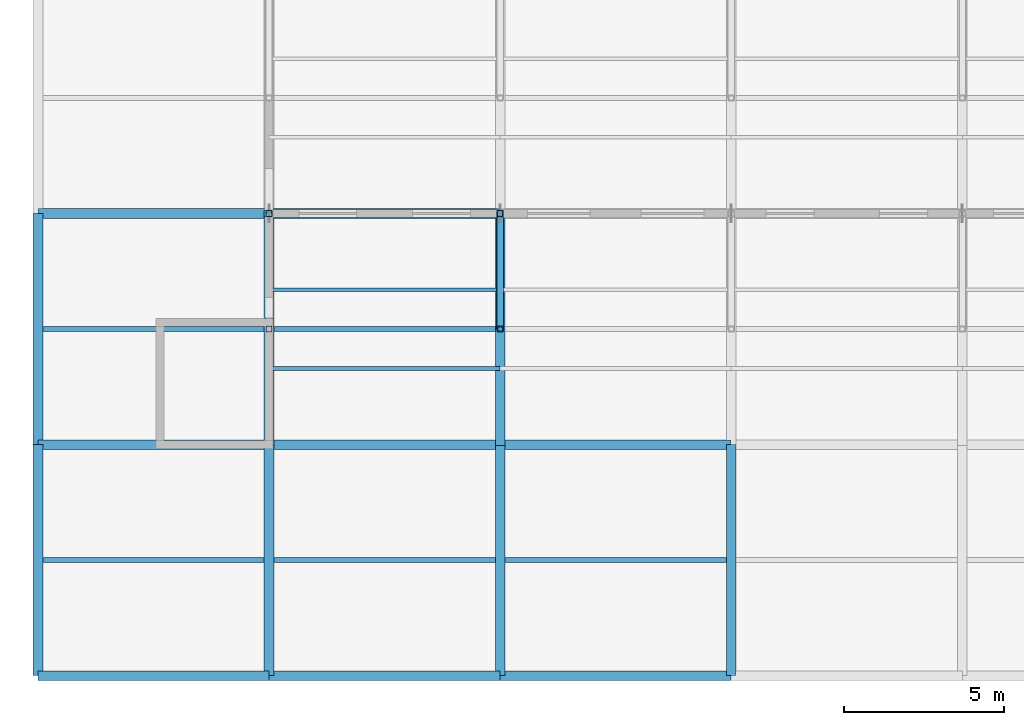
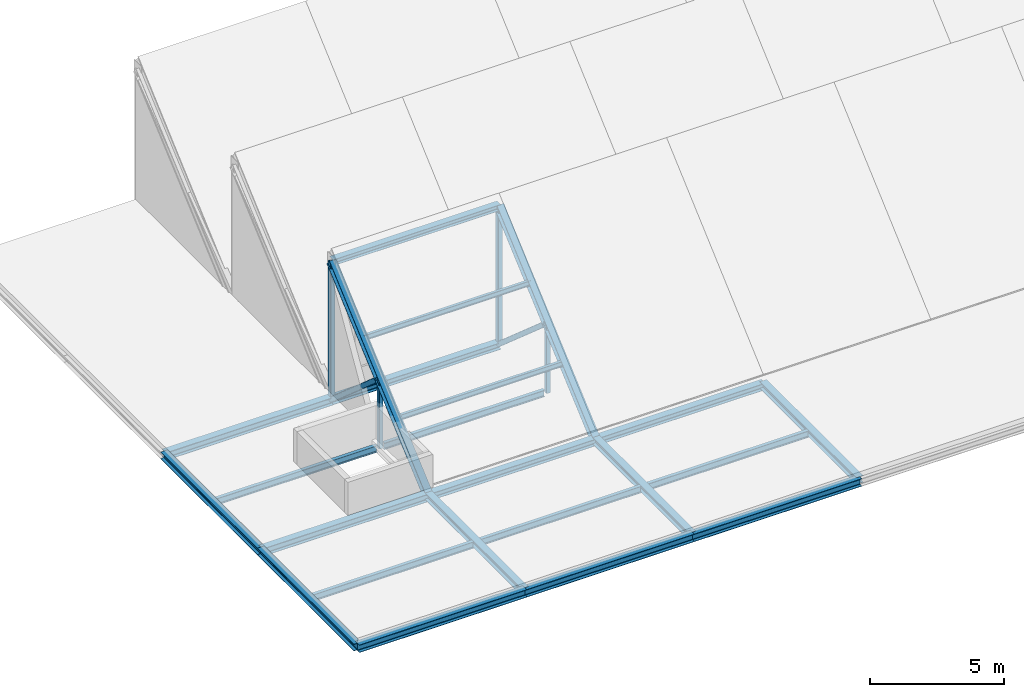
# One storey, part 5 of 31: 21 beams, 8 members.
"""IFC4 building model written with IfcOpenShell, lengths in metres."""

from ifc_helpers import new_model, si_unit, direction, frame, origin, origin_2d, place, context, subcontext, project, spatial, hollow_rectangle, hollow_circle, i_section, extrude, material, material_profile, profile_set, type_object, element, save


model = new_model("IFC4")

# Units and contexts
model_context = context("Model", 3, precision=1e-05, world=origin(), true_north=direction((0.0, 1.0)))
body_context = subcontext(model_context, "Body", "Model", "MODEL_VIEW")
ifc_project = project(units=[si_unit("LENGTHUNIT", "METRE"), si_unit("AREAUNIT", "SQUARE_METRE"), si_unit("VOLUMEUNIT", "CUBIC_METRE"), si_unit("PLANEANGLEUNIT", "RADIAN"), si_unit("MASSUNIT", "GRAM", prefix="KILO")], contexts=[model_context])

# Site, building, storey
site_placement = place(None, origin())
site = spatial("IfcSite", under=ifc_project, at=site_placement, CompositionType="ELEMENT")
building_placement = place(site_placement, origin())
building = spatial("IfcBuilding", under=site, at=building_placement, Name="Zlatovets Crest Museum", CompositionType="ELEMENT")
storey_placement = place(building_placement, frame((0.0, 0.0, 25.199951171875)))
storey = spatial("IfcBuildingStorey", under=building, at=storey_placement, Name="L05", CompositionType="ELEMENT", Elevation=25.199951171875)

# Beams
ifc_material = material(Name="Structural steel S355J2", Category="steel")
ifc_material_profile_1 = material_profile(ifc_material, i_section(OverallWidth=0.300048828125, OverallDepth=0.35009765625, WebThickness=0.010009765625, FlangeThickness=0.017578125, FilletRadius=0.027099609375, at=origin_2d()), Name="HEA 360")
ifc_profile_set_1 = profile_set([ifc_material_profile_1], Name="Structural steel S355J2")
beam_type_1 = type_object("IfcBeamType", Name="Beam_B-03", PredefinedType="BEAM", material=ifc_profile_set_1)
for number, where, z_axis, x_axis, name in (
    (1, (57.60009765625, 0.0, -0.39501953125), (1.0, 0.0, 0.0), (0.0, 1.0, 0.0), "V2 L05 Primary Girder B-03"),
    (2, (64.800048828125, 0.0, -0.39501953125), (1.0, 0.0, 0.0), (0.0, 1.0, 0.0), "V2 L05 Primary Girder B-03"),
    (3, (72.0, 0.0, -0.39501953125), (1.0, 0.0, 0.0), (0.0, 1.0, 0.0), "V2 L05 Primary Girder B-03"),
    (4, (57.60009765625, 7.199951171875, -0.39501953125), (1.0, 0.0, 0.0), (0.0, 1.0, 0.0), "V2 L05 Primary Girder B-03"),
    (5, (57.60009765625, 14.39990234375, -0.39501953125), (1.0, 0.0, 0.0), (0.0, 1.0, 0.0), "V2 L05 Primary Girder B-03"),
):
    element("IfcBeam", number, at=place(storey_placement, frame(where, z_axis=z_axis, x_axis=x_axis)), inside=storey, type_object=beam_type_1, Name=name, PredefinedType="BEAM", context=body_context, shape_type="SweptSolid", body=[
        extrude(i_section(OverallWidth=0.300048828125, OverallDepth=0.35009765625, WebThickness=0.010009765625, FlangeThickness=0.017578125, FilletRadius=0.027099609375, at=origin_2d()), origin(), (0.0, 0.0, 1.0), 7.199951171875),
    ])
ifc_material_profile_2 = material_profile(ifc_material, i_section(OverallWidth=0.300048828125, OverallDepth=0.31005859375, WebThickness=0.009033203125, FlangeThickness=0.015380859375, FilletRadius=0.027099609375, at=origin_2d()), Name="HEA 320")
ifc_profile_set_2 = profile_set([ifc_material_profile_2], Name="Structural steel S355J2")
beam_type_2 = type_object("IfcBeamType", Name="Beam_B-04", PredefinedType="BEAM", material=ifc_profile_set_2)
for number, where, z_axis, x_axis, name in (
    (6, (57.60009765625, 0.0, -0.375), (0.0, 1.0, 0.0), (-1.0, 0.0, 0.0), "V2 L05 Grid Beam B-04"),
    (7, (57.60009765625, 7.199951171875, -0.375), (0.0, 1.0, 0.0), (-1.0, 0.0, 0.0), "V2 L05 Grid Beam B-04"),
    (8, (64.800048828125, 0.0, -0.375), (0.0, 1.0, 0.0), (-1.0, 0.0, 0.0), "V2 L05 Grid Beam B-04"),
    (9, (72.0, 0.0, -0.375), (0.0, 1.0, 0.0), (-1.0, 0.0, 0.0), "V2 L05 Grid Beam B-04"),
    (10, (79.199951171875, 0.0, -0.375), (0.0, 1.0, 0.0), (-1.0, 0.0, 0.0), "V2 L05 Grid Beam B-04"),
    (11, (64.800048828125, 7.199951171875, -0.39990234375), (1.0, 0.0, 0.0), (0.0, 1.0, 0.0), "V2 Sawtooth South Eave Valley Girder"),
    (12, (64.800048828125, 14.39990234375, -0.39990234375), (1.0, 0.0, 0.0), (0.0, 1.0, 0.0), "V2 Sawtooth Tooth 1 Valley / Clerestory Sill Girder"),
    (13, (72.0, 7.199951171875, -0.39990234375), (1.0, 0.0, 0.0), (0.0, 1.0, 0.0), "V2 Sawtooth South Eave Valley Girder"),
):
    element("IfcBeam", number, at=place(storey_placement, frame(where, z_axis=z_axis, x_axis=x_axis)), inside=storey, type_object=beam_type_2, Name=name, PredefinedType="BEAM", context=body_context, shape_type="SweptSolid", body=[
        extrude(i_section(OverallWidth=0.300048828125, OverallDepth=0.31005859375, WebThickness=0.009033203125, FlangeThickness=0.015380859375, FilletRadius=0.027099609375, at=origin_2d()), origin(), (0.0, 0.0, 1.0), 7.199951171875),
    ])
ifc_material_profile_3 = material_profile(ifc_material, i_section(OverallWidth=0.280029296875, OverallDepth=0.27001953125, WebThickness=0.008056640625, FlangeThickness=0.012939453125, FilletRadius=0.02392578125, at=origin_2d()), Name="HEA 280")
ifc_profile_set_3 = profile_set([ifc_material_profile_3], Name="Structural steel S355J2")
beam_type_3 = type_object("IfcBeamType", Name="Beam_B-05", PredefinedType="BEAM", material=ifc_profile_set_3)
beam_placement = place(storey_placement, frame((64.800048828125, 14.39990234375, 5.8857421875), z_axis=(1.0, 0.0, 0.0), x_axis=(0.0, 1.0, 0.0)))
element("IfcBeam", 14, at=beam_placement, inside=storey, type_object=beam_type_3, Name="V2 Sawtooth Tooth 1 Ridge Girder", PredefinedType="BEAM", context=body_context, shape_type="SweptSolid", body=[
    extrude(i_section(OverallWidth=0.280029296875, OverallDepth=0.27001953125, WebThickness=0.008056640625, FlangeThickness=0.012939453125, FilletRadius=0.02392578125, at=origin_2d()), origin(), (0.0, 0.0, 1.0), 7.199951171875),
])
ifc_material_profile_4 = material_profile(ifc_material, i_section(OverallWidth=0.14990234375, OverallDepth=0.300048828125, WebThickness=0.007080078125, FlangeThickness=0.0107421875, FilletRadius=0.014892578125, at=origin_2d()), Name="IPE 300")
ifc_profile_set_4 = profile_set([ifc_material_profile_4], Name="Structural steel S355J2")
beam_type_4 = type_object("IfcBeamType", Name="Beam_J-02", PredefinedType="JOIST", material=ifc_profile_set_4)
for number, where, z_axis, x_axis, name in (
    (15, (57.75, 3.60009765625, -0.369873046875), (1.0, 0.0, 0.0), (0.0, 1.0, 0.0), "V2 L05 Composite Joist J-02"),
    (16, (57.75, 10.800048828125, -0.369873046875), (1.0, 0.0, 0.0), (0.0, 1.0, 0.0), "V2 L05 Composite Joist J-02"),
):
    element("IfcBeam", number, at=place(storey_placement, frame(where, z_axis=z_axis, x_axis=x_axis)), inside=storey, type_object=beam_type_4, Name=name, PredefinedType="JOIST", context=body_context, shape_type="SweptSolid", body=[
        extrude(i_section(OverallWidth=0.14990234375, OverallDepth=0.300048828125, WebThickness=0.007080078125, FlangeThickness=0.0107421875, FilletRadius=0.014892578125, at=origin_2d()), origin(), (0.0, 0.0, 1.0), 6.89990234375),
    ])
for number, where, z_axis, x_axis, name in (
    (17, (64.949951171875, 3.60009765625, -0.369873046875), (1.0, 0.0, 0.0), (0.0, 1.0, 0.0), "V2 L05 Composite Joist J-02"),
    (18, (64.949951171875, 10.800048828125, -0.369873046875), (1.0, 0.0, 0.0), (0.0, 1.0, 0.0), "V2 L05 Composite Joist J-02"),
    (19, (72.14990234375, 3.60009765625, -0.369873046875), (1.0, 0.0, 0.0), (0.0, 1.0, 0.0), "V2 L05 Composite Joist J-02"),
):
    element("IfcBeam", number, at=place(storey_placement, frame(where, z_axis=z_axis, x_axis=x_axis)), inside=storey, type_object=beam_type_4, Name=name, PredefinedType="JOIST", context=body_context, shape_type="SweptSolid", body=[
        extrude(i_section(OverallWidth=0.14990234375, OverallDepth=0.300048828125, WebThickness=0.007080078125, FlangeThickness=0.0107421875, FilletRadius=0.014892578125, at=origin_2d()), origin(), (0.0, 0.0, 1.0), 6.900146484375),
    ])
ifc_material_profile_5 = material_profile(ifc_material, i_section(OverallWidth=0.1201171875, OverallDepth=0.239990234375, WebThickness=0.006103515625, FlangeThickness=0.009765625, FilletRadius=0.014892578125, at=origin_2d()), Name="IPE 240")
ifc_profile_set_5 = profile_set([ifc_material_profile_5], Name="Structural steel S355J2")
beam_type_5 = type_object("IfcBeamType", Name="Beam_PR-01", PredefinedType="BEAM", material=ifc_profile_set_5)
for number, where, z_axis, x_axis, name in (
    (20, (64.800048828125, 9.575927734375, 1.672607421875), (1.0, 0.0, 0.0), (0.0, 1.0, 0.0), "V2 Sawtooth Tooth 1 Purlin PR-01"),
    (21, (64.800048828125, 12.02392578125, 3.8486328125), (1.0, 0.0, 0.0), (0.0, 1.0, 0.0), "V2 Sawtooth Tooth 1 Purlin PR-01"),
):
    element("IfcBeam", number, at=place(storey_placement, frame(where, z_axis=z_axis, x_axis=x_axis)), inside=storey, type_object=beam_type_5, Name=name, PredefinedType="BEAM", context=body_context, shape_type="SweptSolid", body=[
        extrude(i_section(OverallWidth=0.1201171875, OverallDepth=0.239990234375, WebThickness=0.006103515625, FlangeThickness=0.009765625, FilletRadius=0.014892578125, at=origin_2d()), origin(), (0.0, 0.0, 1.0), 7.199951171875),
    ])

# Members
ifc_material_profile_6 = material_profile(ifc_material, i_section(OverallWidth=0.300048828125, OverallDepth=0.31005859375, WebThickness=0.009033203125, FlangeThickness=0.015380859375, FilletRadius=0.027099609375, at=origin_2d()), Name="HEA 320")
ifc_profile_set_6 = profile_set([ifc_material_profile_6], Name="Structural steel S355J2")
member_type_1 = type_object("IfcMemberType", Name="Member_TM-02", PredefinedType="RAFTER", material=ifc_profile_set_6)
for number, where, z_axis, x_axis, name in (
    (22, (64.800048828125, 7.199951171875, -0.39990234375), (0.0, 0.753318349335, 0.65765603818), (-1.0, 0.0, 0.0), "V2 Sawtooth Tooth 1 Rafter Chord"),
    (23, (72.0, 7.199951171875, -0.39990234375), (0.0, 0.753318349335, 0.65765603818), (-1.0, 0.0, 0.0), "V2 Sawtooth Tooth 1 Rafter Chord"),
):
    element("IfcMember", number, at=place(storey_placement, frame(where, z_axis=z_axis, x_axis=x_axis)), inside=storey, type_object=member_type_1, Name=name, PredefinedType="RAFTER", context=body_context, shape_type="SweptSolid", body=[
        extrude(i_section(OverallWidth=0.300048828125, OverallDepth=0.31005859375, WebThickness=0.009033203125, FlangeThickness=0.015380859375, FilletRadius=0.027099609375, at=origin_2d()), origin(), (0.0, 0.0, 1.0), 9.5576171875),
    ])
ifc_material_profile_7 = material_profile(ifc_material, hollow_rectangle(XDim=0.199951171875, YDim=0.199951171875, WallThickness=0.012451171875, InnerFilletRadius=0.012451171875, OuterFilletRadius=0.02490234375, at=origin_2d()), Name="SHS 200x200x12.5")
ifc_profile_set_7 = profile_set([ifc_material_profile_7], Name="Structural steel S355J2")
member_type_2 = type_object("IfcMemberType", Name="Member_TM-03", PredefinedType="BRACE", material=ifc_profile_set_7)
for number, where, z_axis, x_axis, name in (
    (24, (64.800048828125, 14.39990234375, -0.39990234375), (0.0, 0.0, 1.0), (1.0, 0.0, 0.0), "V2 Sawtooth Tooth 1 North-Light Post"),
    (25, (72.0, 14.39990234375, -0.39990234375), (0.0, 0.0, 1.0), (1.0, 0.0, 0.0), "V2 Sawtooth Tooth 1 North-Light Post"),
):
    element("IfcMember", number, at=place(storey_placement, frame(where, z_axis=z_axis, x_axis=x_axis)), inside=storey, type_object=member_type_2, Name=name, PredefinedType="BRACE", context=body_context, shape_type="SweptSolid", body=[
        extrude(hollow_rectangle(XDim=0.199951171875, YDim=0.199951171875, WallThickness=0.012451171875, InnerFilletRadius=0.012451171875, OuterFilletRadius=0.02490234375, at=origin_2d()), origin(), (0.0, 0.0, 1.0), 6.28564453125),
    ])
ifc_material_profile_8 = material_profile(ifc_material, hollow_rectangle(XDim=0.179931640625, YDim=0.179931640625, WallThickness=0.010009765625, InnerFilletRadius=0.010009765625, OuterFilletRadius=0.02001953125, at=origin_2d()), Name="SHS 180x180x10.0")
ifc_profile_set_8 = profile_set([ifc_material_profile_8], Name="Structural steel S355J2")
member_type_3 = type_object("IfcMemberType", Name="Member_TM-04", PredefinedType="STRUT", material=ifc_profile_set_8)
for number, where, z_axis, x_axis, name in (
    (26, (64.800048828125, 10.800048828125, -0.39990234375), (0.0, 0.0, 1.0), (1.0, 0.0, 0.0), "V2 Sawtooth Tooth 1 Web Post"),
    (27, (72.0, 10.800048828125, -0.39990234375), (0.0, 0.0, 1.0), (1.0, 0.0, 0.0), "V2 Sawtooth Tooth 1 Web Post"),
):
    element("IfcMember", number, at=place(storey_placement, frame(where, z_axis=z_axis, x_axis=x_axis)), inside=storey, type_object=member_type_3, Name=name, PredefinedType="STRUT", context=body_context, shape_type="SweptSolid", body=[
        extrude(hollow_rectangle(XDim=0.179931640625, YDim=0.179931640625, WallThickness=0.010009765625, InnerFilletRadius=0.010009765625, OuterFilletRadius=0.02001953125, at=origin_2d()), origin(), (0.0, 0.0, 1.0), 3.142822265625),
    ])
ifc_material_profile_9 = material_profile(ifc_material, hollow_circle(Radius=0.109619140625, WallThickness=0.010009765625, at=origin_2d()), Name="CHS 219.1x10.0")
ifc_profile_set_9 = profile_set([ifc_material_profile_9], Name="Structural steel S355J2")
member_type_4 = type_object("IfcMemberType", Name="Member_TM-05", PredefinedType="BRACE", material=ifc_profile_set_9)
for number, where, z_axis, x_axis, name in (
    (28, (64.800048828125, 10.800048828125, 2.742919921875), (0.0, 0.75330730094, -0.657668693455), (-1.0, 0.0, 0.0), "V2 Sawtooth Tooth 1 Web Diagonal"),
    (29, (72.0, 10.800048828125, 2.742919921875), (0.0, 0.75330730094, -0.657668693455), (-1.0, 0.0, 0.0), "V2 Sawtooth Tooth 1 Web Diagonal"),
):
    element("IfcMember", number, at=place(storey_placement, frame(where, z_axis=z_axis, x_axis=x_axis)), inside=storey, type_object=member_type_4, Name=name, PredefinedType="BRACE", context=body_context, shape_type="SweptSolid", body=[
        extrude(hollow_circle(Radius=0.109619140625, WallThickness=0.010009765625, at=origin_2d()), origin(), (0.0, 0.0, 1.0), 4.77880859375),
    ])

save(model, "model.ifc")
